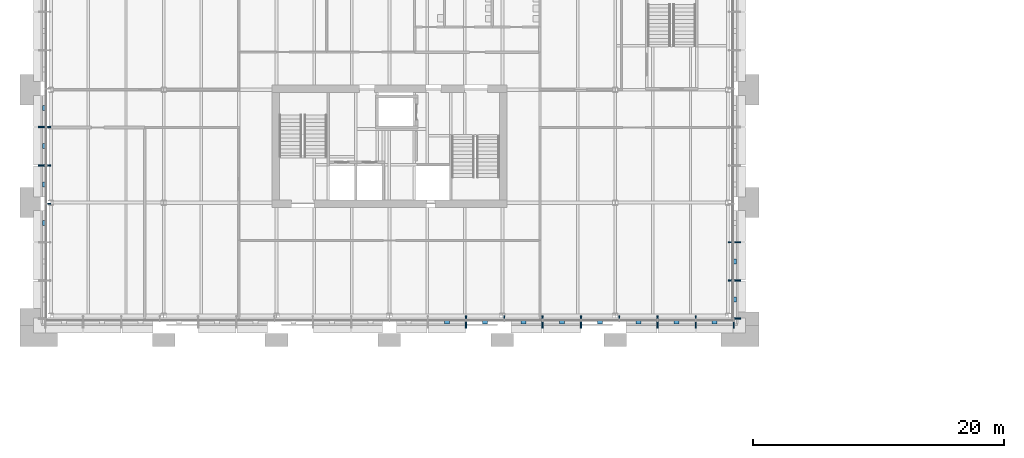
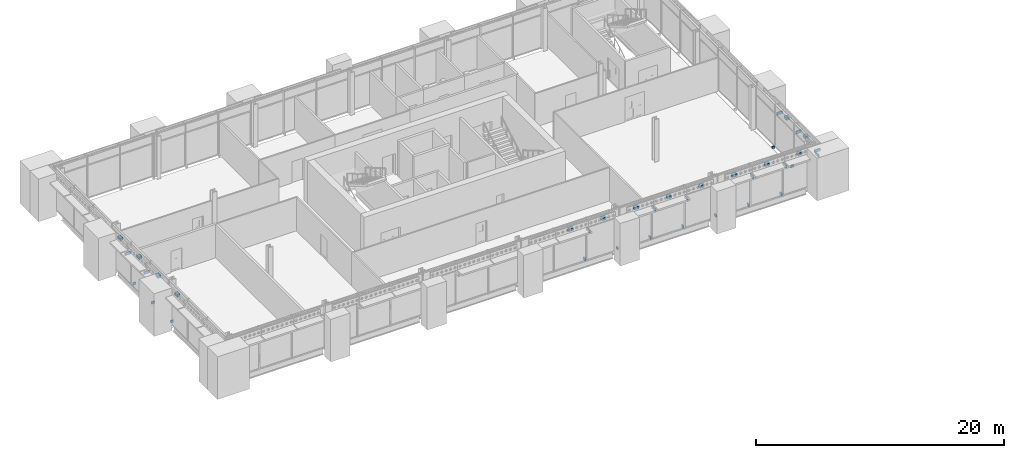
# One storey, part 34 of 54: 37 discrete accessories.
"""IFC4 building model written with IfcOpenShell, lengths in metres."""

from ifc_helpers import new_model, si_unit, direction, frame, origin, origin_2d, place, context, subcontext, project, spatial, rectangle, extrude, material, type_object, element, save


model = new_model("IFC4")

# Units and contexts
model_context = context("Model", 3, precision=1e-05, world=origin(), true_north=direction((0.0, 1.0)))
body_context = subcontext(model_context, "Body", "Model", "MODEL_VIEW")
ifc_project = project(units=[si_unit("LENGTHUNIT", "METRE"), si_unit("AREAUNIT", "SQUARE_METRE"), si_unit("VOLUMEUNIT", "CUBIC_METRE"), si_unit("PLANEANGLEUNIT", "RADIAN"), si_unit("MASSUNIT", "GRAM", prefix="KILO")], contexts=[model_context])

# Site, building, storey
site_placement = place(None, origin())
site = spatial("IfcSite", under=ifc_project, at=site_placement, CompositionType="ELEMENT")
building_placement = place(site_placement, origin())
building = spatial("IfcBuilding", under=site, at=building_placement, Name="Baradari Gate Terminus", CompositionType="ELEMENT")
storey_placement = place(building_placement, frame((0.0, 0.0, 15.89990234375)))
storey = spatial("IfcBuildingStorey", under=building, at=storey_placement, Name="L03", CompositionType="ELEMENT", Elevation=15.89990234375)

# Discrete accessories
ifc_material_1 = material(Name="Steel S275", Category="steel")
discrete_accessory_type_1 = type_object("IfcDiscreteAccessoryType", Name="Chhajja bracket BK-3 galvanised steel", PredefinedType="BRACKET", material=ifc_material_1)
for number, where, z_axis, x_axis, name in (
    (1, (42.1044921875, 116.260009765625, 3.08251953125), (0.0, 0.0, 1.0), (0.0, -1.0, 0.0), "Chhajja bracket BK-3 L03/TS mullion 12"),
    (2, (48.208984375, 116.260009765625, 3.08251953125), (0.0, 0.0, 1.0), (0.0, -1.0, 0.0), "Chhajja bracket BK-3 L03/TS mullion 14"),
    (3, (51.26123046875, 116.260009765625, 3.08251953125), (0.0, 0.0, 1.0), (0.0, -1.0, 0.0), "Chhajja bracket BK-3 L03/TS mullion 15"),
    (4, (57.365478515625, 116.260009765625, 3.08251953125), (0.0, 0.0, 1.0), (0.0, -1.0, 0.0), "Chhajja bracket BK-3 L03/TS mullion 17"),
    (5, (60.417724609375, 116.260009765625, 3.08251953125), (0.0, 0.0, 1.0), (0.0, -1.0, 0.0), "Chhajja bracket BK-3 L03/TS mullion 18"),
    (6, (63.4375, 116.260009765625, 3.08251953125), (0.0, 0.0, 1.0), (0.0, -1.0, 0.0), "Chhajja bracket BK-3 L03/TS mullion 19"),
    (7, (8.260009765625, 128.969970703125, 3.08251953125), (0.0, 0.0, 1.0), (-1.0, 0.0, 0.0), "Chhajja bracket BK-3 L03/TW mullion 5"),
    (8, (8.260009765625, 132.030029296875, 3.08251953125), (0.0, 0.0, 1.0), (-1.0, 0.0, 0.0), "Chhajja bracket BK-3 L03/TW mullion 6"),
    (9, (63.739990234375, 116.762451171875, 3.08251953125), (0.0, 0.0, 1.0), (1.0, 0.0, 0.0), "Chhajja bracket BK-3 L03/TE mullion 1"),
    (10, (63.739990234375, 119.7900390625, 3.08251953125), (0.0, 0.0, 1.0), (1.0, 0.0, 0.0), "Chhajja bracket BK-3 L03/TE mullion 2"),
    (11, (63.739990234375, 122.85009765625, 3.08251953125), (0.0, 0.0, 1.0), (1.0, 0.0, 0.0), "Chhajja bracket BK-3 L03/TE mullion 3"),
):
    element("IfcDiscreteAccessory", number, at=place(storey_placement, frame(where, z_axis=z_axis, x_axis=x_axis)), inside=storey, type_object=discrete_accessory_type_1, Name=name, PredefinedType="BRACKET", context=body_context, shape_type="SweptSolid", body=[
        extrude(rectangle(XDim=0.5400390625, YDim=0.10009765625, at=origin_2d()), origin(), (0.0, 0.0, 1.0), 0.25),
    ])
ifc_material_2 = material(Name="Aluminium 6063-T6", Category="aluminium")
discrete_accessory_type_2 = type_object("IfcDiscreteAccessoryType", Name="Curtain wall bracket BK-1 100x250", PredefinedType="BRACKET", material=ifc_material_2)
for number, where, z_axis, x_axis, name in (
    (12, (42.1044921875, 116.864990234375, -0.099853515625), (0.0, 0.0, 1.0), (0.0, -1.0, 0.0), "Curtain wall bracket BK-1 L03/TS mullion 12"),
    (13, (45.15673828125, 116.864990234375, -0.099853515625), (0.0, 0.0, 1.0), (0.0, -1.0, 0.0), "Curtain wall bracket BK-1 L03/TS mullion 13"),
    (14, (48.208984375, 116.864990234375, -0.099853515625), (0.0, 0.0, 1.0), (0.0, -1.0, 0.0), "Curtain wall bracket BK-1 L03/TS mullion 14"),
    (15, (51.26123046875, 116.864990234375, -0.099853515625), (0.0, 0.0, 1.0), (0.0, -1.0, 0.0), "Curtain wall bracket BK-1 L03/TS mullion 15"),
    (16, (54.313232421875, 116.864990234375, -0.099853515625), (0.0, 0.0, 1.0), (0.0, -1.0, 0.0), "Curtain wall bracket BK-1 L03/TS mullion 16"),
    (17, (57.365478515625, 116.864990234375, -0.099853515625), (0.0, 0.0, 1.0), (0.0, -1.0, 0.0), "Curtain wall bracket BK-1 L03/TS mullion 17"),
    (18, (60.417724609375, 116.864990234375, -0.099853515625), (0.0, 0.0, 1.0), (0.0, -1.0, 0.0), "Curtain wall bracket BK-1 L03/TS mullion 18"),
    (19, (8.864990234375, 125.909912109375, -0.099853515625), (0.0, 0.0, 1.0), (-1.0, 0.0, 0.0), "Curtain wall bracket BK-1 L03/TW mullion 4"),
    (20, (8.864990234375, 128.969970703125, -0.099853515625), (0.0, 0.0, 1.0), (-1.0, 0.0, 0.0), "Curtain wall bracket BK-1 L03/TW mullion 5"),
    (21, (8.864990234375, 132.030029296875, -0.099853515625), (0.0, 0.0, 1.0), (-1.0, 0.0, 0.0), "Curtain wall bracket BK-1 L03/TW mullion 6"),
    (22, (63.135009765625, 119.7900390625, -0.099853515625), (0.0, 0.0, 1.0), (1.0, 0.0, 0.0), "Curtain wall bracket BK-1 L03/TE mullion 2"),
    (23, (63.135009765625, 122.85009765625, -0.099853515625), (0.0, 0.0, 1.0), (1.0, 0.0, 0.0), "Curtain wall bracket BK-1 L03/TE mullion 3"),
):
    element("IfcDiscreteAccessory", number, at=place(storey_placement, frame(where, z_axis=z_axis, x_axis=x_axis)), inside=storey, type_object=discrete_accessory_type_2, Name=name, PredefinedType="BRACKET", context=body_context, shape_type="SweptSolid", body=[
        extrude(rectangle(XDim=0.27001953125, YDim=0.10009765625, at=origin_2d()), origin(), (0.0, 0.0, 1.0), 0.25),
    ])
ifc_material_3 = material(Name="Stainless steel 316", Category="steel")
discrete_accessory_type_3 = type_object("IfcDiscreteAccessoryType", Name="Jali screen bracket BK-2 stainless steel", PredefinedType="BRACKET", material=ifc_material_3)
for number, where, z_axis, x_axis, name in (
    (24, (40.578369140625, 116.472412109375, 3.60888671875), (0.0, 0.0, 1.0), (0.0, -1.0, 0.0), "Jali screen bracket BK-2 L03/TS bay 11"),
    (25, (43.630615234375, 116.472412109375, 3.60888671875), (0.0, 0.0, 1.0), (0.0, -1.0, 0.0), "Jali screen bracket BK-2 L03/TS bay 12"),
    (26, (46.682861328125, 116.472412109375, 3.60888671875), (0.0, 0.0, 1.0), (0.0, -1.0, 0.0), "Jali screen bracket BK-2 L03/TS bay 13"),
    (27, (49.735107421875, 116.472412109375, 3.60888671875), (0.0, 0.0, 1.0), (0.0, -1.0, 0.0), "Jali screen bracket BK-2 L03/TS bay 14"),
    (28, (52.787109375, 116.472412109375, 3.60888671875), (0.0, 0.0, 1.0), (0.0, -1.0, 0.0), "Jali screen bracket BK-2 L03/TS bay 15"),
    (29, (55.83935546875, 116.472412109375, 3.60888671875), (0.0, 0.0, 1.0), (0.0, -1.0, 0.0), "Jali screen bracket BK-2 L03/TS bay 16"),
    (30, (58.8916015625, 116.472412109375, 3.60888671875), (0.0, 0.0, 1.0), (0.0, -1.0, 0.0), "Jali screen bracket BK-2 L03/TS bay 17"),
    (31, (61.927734375, 116.472412109375, 3.60888671875), (0.0, 0.0, 1.0), (0.0, -1.0, 0.0), "Jali screen bracket BK-2 L03/TS bay 18"),
    (32, (8.472412109375, 124.3798828125, 3.60888671875), (0.0, 0.0, 1.0), (-1.0, 0.0, 0.0), "Jali screen bracket BK-2 L03/TW bay 3"),
    (33, (8.472412109375, 127.43994140625, 3.60888671875), (0.0, 0.0, 1.0), (-1.0, 0.0, 0.0), "Jali screen bracket BK-2 L03/TW bay 4"),
    (34, (8.472412109375, 130.5, 3.60888671875), (0.0, 0.0, 1.0), (-1.0, 0.0, 0.0), "Jali screen bracket BK-2 L03/TW bay 5"),
    (35, (8.472412109375, 133.56005859375, 3.60888671875), (0.0, 0.0, 1.0), (-1.0, 0.0, 0.0), "Jali screen bracket BK-2 L03/TW bay 6"),
    (36, (63.527587890625, 118.2763671875, 3.60888671875), (0.0, 0.0, 1.0), (1.0, 0.0, 0.0), "Jali screen bracket BK-2 L03/TE bay 1"),
    (37, (63.527587890625, 121.320068359375, 3.60888671875), (0.0, 0.0, 1.0), (1.0, 0.0, 0.0), "Jali screen bracket BK-2 L03/TE bay 2"),
):
    element("IfcDiscreteAccessory", number, at=place(storey_placement, frame(where, z_axis=z_axis, x_axis=x_axis)), inside=storey, type_object=discrete_accessory_type_3, Name=name, PredefinedType="BRACKET", context=body_context, shape_type="SweptSolid", body=[
        extrude(rectangle(XDim=0.284912109375, YDim=0.39990234375, at=origin_2d()), origin(), (0.0, 0.0, 1.0), 0.25),
    ])

save(model, "model.ifc")
